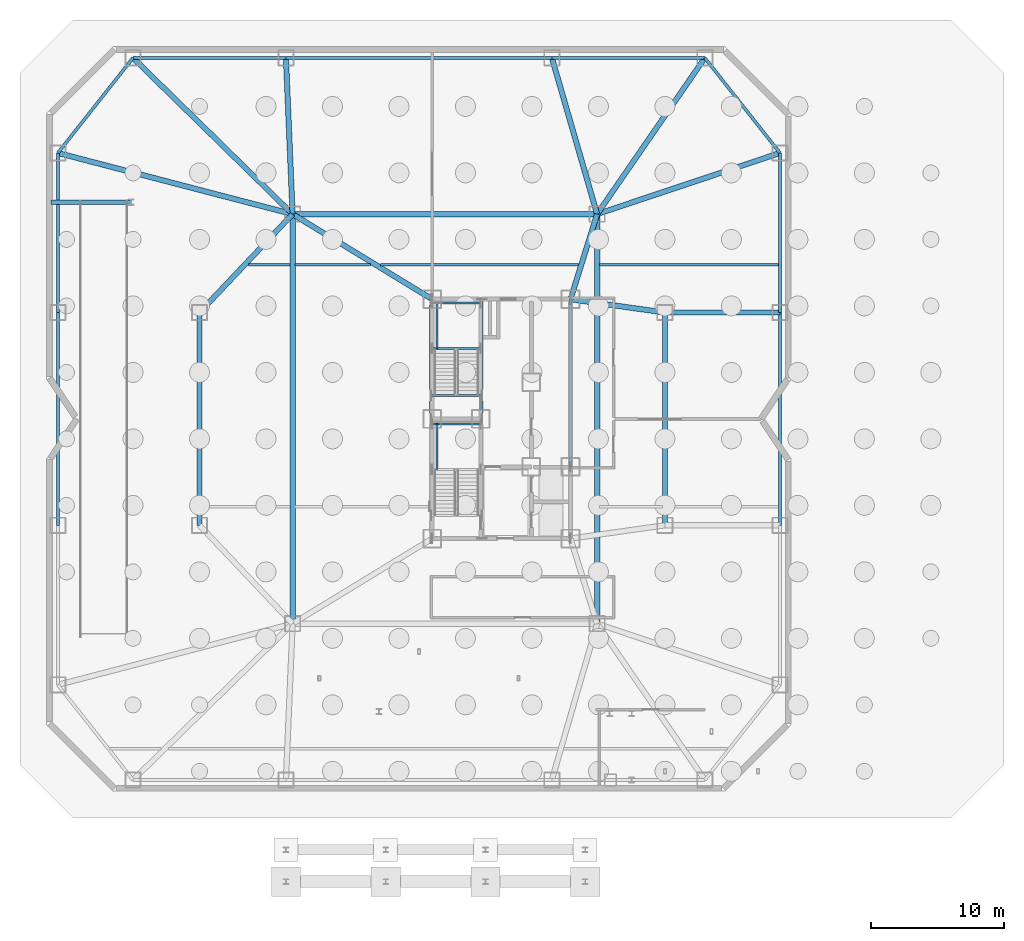
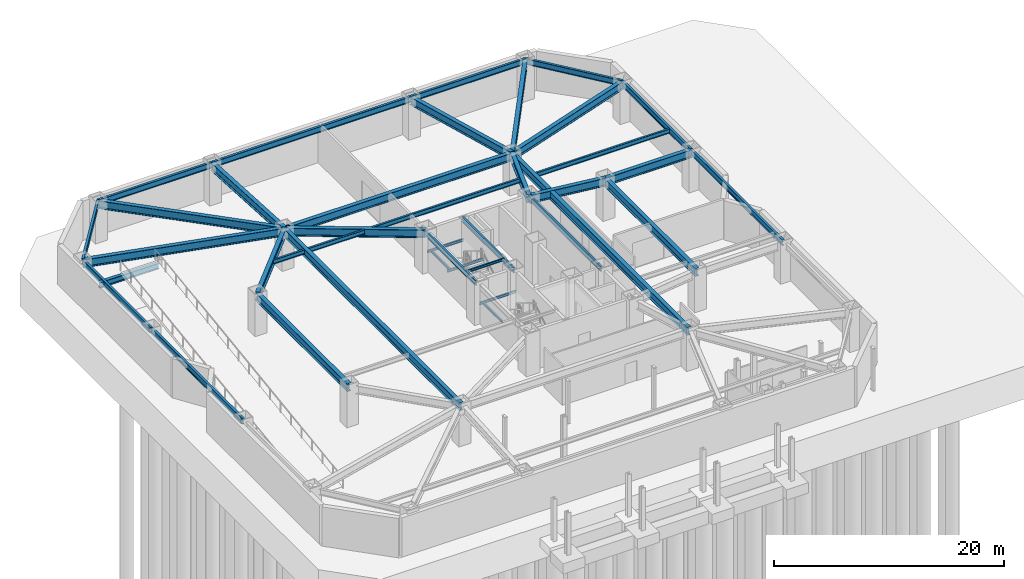
# One storey, part 6 of 15: 39 beams.
"""IFC4 building model written with IfcOpenShell, lengths in metres."""

from ifc_helpers import new_model, si_unit, direction, frame, origin, origin_2d, place, context, subcontext, project, spatial, i_section, extrude, material, material_profile, profile_set, type_object, element, save


model = new_model("IFC4")

# Units and contexts
model_context = context("Model", 3, precision=1e-05, world=origin(), true_north=direction((0.0, 1.0)))
body_context = subcontext(model_context, "Body", "Model", "MODEL_VIEW")
ifc_project = project(units=[si_unit("LENGTHUNIT", "METRE"), si_unit("AREAUNIT", "SQUARE_METRE"), si_unit("VOLUMEUNIT", "CUBIC_METRE"), si_unit("PLANEANGLEUNIT", "RADIAN"), si_unit("MASSUNIT", "GRAM", prefix="KILO")], contexts=[model_context])

# Site, building, storey
site_placement = place(None, origin())
site = spatial("IfcSite", under=ifc_project, at=site_placement, CompositionType="ELEMENT")
building_placement = place(site_placement, origin())
building = spatial("IfcBuilding", under=site, at=building_placement, Name="Khamvora Tower", CompositionType="ELEMENT")
storey_placement = place(building_placement, frame((0.0, 0.0, -9.0)))
storey = spatial("IfcBuildingStorey", under=building, at=storey_placement, Name="B2", CompositionType="ELEMENT", Elevation=-9.0)

# Beams
ifc_material = material(Name="Steel S355", Category="steel")
ifc_material_profile_1 = material_profile(ifc_material, i_section(OverallWidth=0.19189453125, OverallDepth=0.462890625, WebThickness=0.010986328125, FlangeThickness=0.01806640625, FilletRadius=0.011962890625, at=origin_2d()), Name="W460x89")
ifc_profile_set_1 = profile_set([ifc_material_profile_1], Name="Steel S355")
beam_type_1 = type_object("IfcBeamType", Name="BM-JS-W460x89", PredefinedType="JOIST", material=ifc_profile_set_1)
beam_1_placement = place(storey_placement, frame((15.176025390625, 39.60009765625, 3.948974609375), z_axis=(1.0, 0.0, 0.0), x_axis=(0.0, 1.0, 0.0)))
element("IfcBeam", 1, at=beam_1_placement, inside=storey, type_object=beam_type_1, Name="B2 secondary floor joist 10", PredefinedType="JOIST", context=body_context, shape_type="SweptSolid", body=[
    extrude(i_section(OverallWidth=0.19189453125, OverallDepth=0.462890625, WebThickness=0.010986328125, FlangeThickness=0.01806640625, FilletRadius=0.011962890625, at=origin_2d()), origin(), (0.0, 0.0, 1.0), 3.12890625),
])
beam_2_placement = place(storey_placement, frame((18.695068359375, 39.60009765625, 3.948974609375), z_axis=(1.0, 0.0, 0.0), x_axis=(0.0, 1.0, 0.0)))
element("IfcBeam", 2, at=beam_2_placement, inside=storey, type_object=beam_type_1, Name="B2 secondary floor joist 11", PredefinedType="JOIST", context=body_context, shape_type="SweptSolid", body=[
    extrude(i_section(OverallWidth=0.19189453125, OverallDepth=0.462890625, WebThickness=0.010986328125, FlangeThickness=0.01806640625, FilletRadius=0.011962890625, at=origin_2d()), origin(), (0.0, 0.0, 1.0), 5.659912109375),
])
beam_3_placement = place(storey_placement, frame((25.114013671875, 39.60009765625, 3.948974609375), z_axis=(1.0, 0.0, 0.0), x_axis=(0.0, 1.0, 0.0)))
element("IfcBeam", 3, at=beam_3_placement, inside=storey, type_object=beam_type_1, Name="B2 secondary floor joist 12", PredefinedType="JOIST", context=body_context, shape_type="SweptSolid", body=[
    extrude(i_section(OverallWidth=0.19189453125, OverallDepth=0.462890625, WebThickness=0.010986328125, FlangeThickness=0.01806640625, FilletRadius=0.011962890625, at=origin_2d()), origin(), (0.0, 0.0, 1.0), 14.89404296875),
])
beam_4_placement = place(storey_placement, frame((41.594970703125, 39.60009765625, 3.948974609375), z_axis=(1.0, 0.0, 0.0), x_axis=(0.0, 1.0, 0.0)))
element("IfcBeam", 4, at=beam_4_placement, inside=storey, type_object=beam_type_1, Name="B2 secondary floor joist 13", PredefinedType="JOIST", context=body_context, shape_type="SweptSolid", body=[
    extrude(i_section(OverallWidth=0.19189453125, OverallDepth=0.462890625, WebThickness=0.010986328125, FlangeThickness=0.01806640625, FilletRadius=0.011962890625, at=origin_2d()), origin(), (0.0, 0.0, 1.0), 13.445068359375),
])
ifc_material_profile_2 = material_profile(ifc_material, i_section(OverallWidth=0.14697265625, OverallDepth=0.261962890625, WebThickness=0.007080078125, FlangeThickness=0.010986328125, FilletRadius=0.008056640625, at=origin_2d()), Name="W250x39")
ifc_profile_set_2 = profile_set([ifc_material_profile_2], Name="Steel S355")
beam_type_2 = type_object("IfcBeamType", Name="BM-LN-W250x39", PredefinedType="LINTEL", material=ifc_profile_set_2)
beam_5_placement = place(storey_placement, frame((29.0, 27.6298828125, 1.9189453125), z_axis=(1.0, 0.0, 0.0), x_axis=(0.0, 1.0, 0.0)))
element("IfcBeam", 5, at=beam_5_placement, inside=storey, type_object=beam_type_2, Name="B2 ST-01 half-landing support beam 1.2", PredefinedType="LINTEL", context=body_context, shape_type="SweptSolid", body=[
    extrude(i_section(OverallWidth=0.14697265625, OverallDepth=0.261962890625, WebThickness=0.007080078125, FlangeThickness=0.010986328125, FilletRadius=0.008056640625, at=origin_2d()), origin(), (0.0, 0.0, 1.0), 3.64990234375),
])
beam_6_placement = place(storey_placement, frame((29.35009765625, 24.195068359375, 1.9189453125), z_axis=(0.0, 1.0, 0.0), x_axis=(-1.0, 0.0, 0.0)))
element("IfcBeam", 6, at=beam_6_placement, inside=storey, type_object=beam_type_2, Name="B2 ST-01 half-landing edge stringer 1", PredefinedType="LINTEL", context=body_context, shape_type="SweptSolid", body=[
    extrude(i_section(OverallWidth=0.14697265625, OverallDepth=0.261962890625, WebThickness=0.007080078125, FlangeThickness=0.010986328125, FilletRadius=0.008056640625, at=origin_2d()), origin(), (0.0, 0.0, 1.0), 3.434814453125),
])
for number, where, z_axis, x_axis, name in (
    (7, (29.0, 33.294921875, 1.9189453125), (1.0, 0.0, 0.0), (0.0, 1.0, 0.0), "B2 ST-02 half-landing support beam 1.1"),
    (8, (29.0, 36.72998046875, 1.9189453125), (1.0, 0.0, 0.0), (0.0, 1.0, 0.0), "B2 ST-02 half-landing support beam 1.2"),
):
    element("IfcBeam", number, at=place(storey_placement, frame(where, z_axis=z_axis, x_axis=x_axis)), inside=storey, type_object=beam_type_2, Name=name, PredefinedType="LINTEL", context=body_context, shape_type="SweptSolid", body=[
        extrude(i_section(OverallWidth=0.14697265625, OverallDepth=0.261962890625, WebThickness=0.007080078125, FlangeThickness=0.010986328125, FilletRadius=0.008056640625, at=origin_2d()), origin(), (0.0, 0.0, 1.0), 3.64990234375),
    ])
beam_7_placement = place(storey_placement, frame((29.35009765625, 33.294921875, 1.9189453125), z_axis=(0.0, 1.0, 0.0), x_axis=(-1.0, 0.0, 0.0)))
element("IfcBeam", 9, at=beam_7_placement, inside=storey, type_object=beam_type_2, Name="B2 ST-02 half-landing edge stringer 1", PredefinedType="LINTEL", context=body_context, shape_type="SweptSolid", body=[
    extrude(i_section(OverallWidth=0.14697265625, OverallDepth=0.261962890625, WebThickness=0.007080078125, FlangeThickness=0.010986328125, FilletRadius=0.008056640625, at=origin_2d()), origin(), (0.0, 0.0, 1.0), 3.43505859375),
])
beam_8_placement = place(storey_placement, frame((28.89990234375, 29.75, 4.053955078125), z_axis=(1.0, 0.0, 0.0), x_axis=(0.0, 1.0, 0.0)))
element("IfcBeam", 10, at=beam_8_placement, inside=storey, type_object=beam_type_2, Name="B2 exit stair ST-02 landing trimmer beam", PredefinedType="LINTEL", context=body_context, shape_type="SweptSolid", body=[
    extrude(i_section(OverallWidth=0.14697265625, OverallDepth=0.261962890625, WebThickness=0.007080078125, FlangeThickness=0.010986328125, FilletRadius=0.008056640625, at=origin_2d()), origin(), (0.0, 0.0, 1.0), 3.830078125),
])
ifc_material_profile_3 = material_profile(ifc_material, i_section(OverallWidth=0.324951171875, OverallDepth=0.615966796875, WebThickness=0.013916015625, FlangeThickness=0.02197265625, FilletRadius=0.01611328125, at=origin_2d()), Name="W610x174")
ifc_profile_set_3 = profile_set([ifc_material_profile_3], Name="Steel S355")
beam_type_3 = type_object("IfcBeamType", Name="BM-PG-W610x174", PredefinedType="BEAM", material=ifc_profile_set_3)
beam_9_placement = place(storey_placement, frame((0.35009765625, 44.300048828125, 3.83203125), z_axis=(1.0, 0.0, 0.0), x_axis=(0.0, 1.0, 0.0)))
element("IfcBeam", 11, at=beam_9_placement, inside=storey, type_object=beam_type_3, Name="B2 vehicle ramp upper bearing sill beam", PredefinedType="BEAM", context=body_context, shape_type="SweptSolid", body=[
    extrude(i_section(OverallWidth=0.324951171875, OverallDepth=0.615966796875, WebThickness=0.013916015625, FlangeThickness=0.02197265625, FilletRadius=0.01611328125, at=origin_2d()), origin(), (0.0, 0.0, 1.0), 6.0),
])
ifc_material_profile_4 = material_profile(ifc_material, i_section(OverallWidth=0.39990234375, OverallDepth=0.85498046875, WebThickness=0.01806640625, FlangeThickness=0.029052734375, FilletRadius=0.01806640625, at=origin_2d()), Name="W840x299")
ifc_profile_set_4 = profile_set([ifc_material_profile_4], Name="Steel S355")
beam_type_4 = type_object("IfcBeamType", Name="BM-PG-W840x299", PredefinedType="BEAM", material=ifc_profile_set_4)
for number, where, z_axis, x_axis, name in (
    (12, (18.5, 12.60009765625, 3.751953125), (0.0, 1.0, 0.0), (-1.0, 0.0, 0.0), "B2 longitudinal frame girder P17-P19"),
    (13, (41.39990234375, 12.60009765625, 3.751953125), (0.0, 1.0, 0.0), (-1.0, 0.0, 0.0), "B2 longitudinal frame girder P18-P20"),
):
    element("IfcBeam", number, at=place(storey_placement, frame(where, z_axis=z_axis, x_axis=x_axis)), inside=storey, type_object=beam_type_4, Name=name, PredefinedType="BEAM", context=body_context, shape_type="SweptSolid", body=[
        extrude(i_section(OverallWidth=0.39990234375, OverallDepth=0.85498046875, WebThickness=0.01806640625, FlangeThickness=0.029052734375, FilletRadius=0.01806640625, at=origin_2d()), origin(), (0.0, 0.0, 1.0), 30.7998046875),
    ])
beam_10_placement = place(storey_placement, frame((18.5, 43.39990234375, 3.751953125), z_axis=(1.0, 0.0, 0.0), x_axis=(0.0, 1.0, 0.0)))
element("IfcBeam", 14, at=beam_10_placement, inside=storey, type_object=beam_type_4, Name="B2 longitudinal frame girder P19-P20", PredefinedType="BEAM", context=body_context, shape_type="SweptSolid", body=[
    extrude(i_section(OverallWidth=0.39990234375, OverallDepth=0.85498046875, WebThickness=0.01806640625, FlangeThickness=0.029052734375, FilletRadius=0.01806640625, at=origin_2d()), origin(), (0.0, 0.0, 1.0), 22.89990234375),
])
for number, where, z_axis, x_axis, name in (
    (15, (11.5, 20.0, 3.751953125), (0.0, 1.0, 0.0), (-1.0, 0.0, 0.0), "B2 longitudinal frame girder P21-P22"),
    (16, (46.5, 20.0, 3.751953125), (0.0, 1.0, 0.0), (-1.0, 0.0, 0.0), "B2 longitudinal frame girder P23-P24"),
):
    element("IfcBeam", number, at=place(storey_placement, frame(where, z_axis=z_axis, x_axis=x_axis)), inside=storey, type_object=beam_type_4, Name=name, PredefinedType="BEAM", context=body_context, shape_type="SweptSolid", body=[
        extrude(i_section(OverallWidth=0.39990234375, OverallDepth=0.85498046875, WebThickness=0.01806640625, FlangeThickness=0.029052734375, FilletRadius=0.01806640625, at=origin_2d()), origin(), (0.0, 0.0, 1.0), 16.0),
    ])
beam_11_placement = place(storey_placement, frame((18.5, 43.39990234375, 3.751953125), z_axis=(-0.714510426493, 0.699624792608, 0.0), x_axis=(-0.699624792608, -0.714510426493, 0.0)))
element("IfcBeam", 17, at=beam_11_placement, inside=storey, type_object=beam_type_4, Name="B2 primary floor girder P05", PredefinedType="BEAM", context=body_context, shape_type="SweptSolid", body=[
    extrude(i_section(OverallWidth=0.39990234375, OverallDepth=0.85498046875, WebThickness=0.01806640625, FlangeThickness=0.029052734375, FilletRadius=0.01806640625, at=origin_2d()), origin(), (0.0, 0.0, 1.0), 16.794677734375),
])
beam_12_placement = place(storey_placement, frame((18.5, 43.39990234375, 3.751953125), z_axis=(-0.042514716625, 0.999095840683, 0.0), x_axis=(-0.999095840683, -0.042514716625, 0.0)))
element("IfcBeam", 18, at=beam_12_placement, inside=storey, type_object=beam_type_4, Name="B2 primary floor girder P06", PredefinedType="BEAM", context=body_context, shape_type="SweptSolid", body=[
    extrude(i_section(OverallWidth=0.39990234375, OverallDepth=0.85498046875, WebThickness=0.01806640625, FlangeThickness=0.029052734375, FilletRadius=0.01806640625, at=origin_2d()), origin(), (0.0, 0.0, 1.0), 11.7607421875),
])
beam_13_placement = place(storey_placement, frame((41.39990234375, 43.39990234375, 3.751953125), z_axis=(-0.277951455854, 0.960595121885, 0.0), x_axis=(-0.960595121885, -0.277951455854, 0.0)))
element("IfcBeam", 19, at=beam_13_placement, inside=storey, type_object=beam_type_4, Name="B2 primary floor girder P07", PredefinedType="BEAM", context=body_context, shape_type="SweptSolid", body=[
    extrude(i_section(OverallWidth=0.39990234375, OverallDepth=0.85498046875, WebThickness=0.01806640625, FlangeThickness=0.029052734375, FilletRadius=0.01806640625, at=origin_2d()), origin(), (0.0, 0.0, 1.0), 12.23193359375),
])
beam_14_placement = place(storey_placement, frame((41.39990234375, 43.39990234375, 3.751953125), z_axis=(0.567573841069, 0.823322497527, 0.0), x_axis=(-0.823322497527, 0.567573841069, 0.0)))
element("IfcBeam", 20, at=beam_14_placement, inside=storey, type_object=beam_type_4, Name="B2 primary floor girder P08", PredefinedType="BEAM", context=body_context, shape_type="SweptSolid", body=[
    extrude(i_section(OverallWidth=0.39990234375, OverallDepth=0.85498046875, WebThickness=0.01806640625, FlangeThickness=0.029052734375, FilletRadius=0.01806640625, at=origin_2d()), origin(), (0.0, 0.0, 1.0), 14.271484375),
])
beam_15_placement = place(storey_placement, frame((18.5, 43.39990234375, 3.751953125), z_axis=(-0.967673821538, 0.252205025942, 0.0), x_axis=(-0.252205025942, -0.967673821538, 0.0)))
element("IfcBeam", 21, at=beam_15_placement, inside=storey, type_object=beam_type_4, Name="B2 primary floor girder P12", PredefinedType="BEAM", context=body_context, shape_type="SweptSolid", body=[
    extrude(i_section(OverallWidth=0.39990234375, OverallDepth=0.85498046875, WebThickness=0.01806640625, FlangeThickness=0.029052734375, FilletRadius=0.01806640625, at=origin_2d()), origin(), (0.0, 0.0, 1.0), 18.239501953125),
])
beam_16_placement = place(storey_placement, frame((46.5, 36.0, 3.751953125), z_axis=(1.0, 0.0, 0.0), x_axis=(0.0, 1.0, 0.0)))
element("IfcBeam", 22, at=beam_16_placement, inside=storey, type_object=beam_type_4, Name="B2 primary floor girder P15", PredefinedType="BEAM", context=body_context, shape_type="SweptSolid", body=[
    extrude(i_section(OverallWidth=0.39990234375, OverallDepth=0.85498046875, WebThickness=0.01806640625, FlangeThickness=0.029052734375, FilletRadius=0.01806640625, at=origin_2d()), origin(), (0.0, 0.0, 1.0), 8.64990234375),
])
beam_17_placement = place(storey_placement, frame((41.39990234375, 43.39990234375, 3.751953125), z_axis=(0.948335857324, 0.31726818579, 0.0), x_axis=(-0.31726818579, 0.948335857324, 0.0)))
element("IfcBeam", 23, at=beam_17_placement, inside=storey, type_object=beam_type_4, Name="B2 primary floor girder P16", PredefinedType="BEAM", context=body_context, shape_type="SweptSolid", body=[
    extrude(i_section(OverallWidth=0.39990234375, OverallDepth=0.85498046875, WebThickness=0.01806640625, FlangeThickness=0.029052734375, FilletRadius=0.01806640625, at=origin_2d()), origin(), (0.0, 0.0, 1.0), 14.4990234375),
])
beam_18_placement = place(storey_placement, frame((29.0, 37.0, 3.751953125), z_axis=(-0.853887856757, 0.520457037691, 0.0), x_axis=(-0.520457037691, -0.853887856757, 0.0)))
element("IfcBeam", 24, at=beam_18_placement, inside=storey, type_object=beam_type_4, Name="B2 primary floor girder P19", PredefinedType="BEAM", context=body_context, shape_type="SweptSolid", body=[
    extrude(i_section(OverallWidth=0.39990234375, OverallDepth=0.85498046875, WebThickness=0.01806640625, FlangeThickness=0.029052734375, FilletRadius=0.01806640625, at=origin_2d()), origin(), (0.0, 0.0, 1.0), 12.296630859375),
])
beam_19_placement = place(storey_placement, frame((39.39990234375, 37.0, 3.751953125), z_axis=(0.298279139585, 0.95447868226, 0.0), x_axis=(-0.95447868226, 0.298279139585, 0.0)))
element("IfcBeam", 25, at=beam_19_placement, inside=storey, type_object=beam_type_4, Name="B2 primary floor girder P20", PredefinedType="BEAM", context=body_context, shape_type="SweptSolid", body=[
    extrude(i_section(OverallWidth=0.39990234375, OverallDepth=0.85498046875, WebThickness=0.01806640625, FlangeThickness=0.029052734375, FilletRadius=0.01806640625, at=origin_2d()), origin(), (0.0, 0.0, 1.0), 6.705078125),
])
beam_20_placement = place(storey_placement, frame((18.5, 43.39990234375, 3.751953125), z_axis=(-0.687204640029, -0.726463889483, 0.0), x_axis=(0.726463889483, -0.687204640029, 0.0)))
element("IfcBeam", 26, at=beam_20_placement, inside=storey, type_object=beam_type_4, Name="B2 primary floor girder P22", PredefinedType="BEAM", context=body_context, shape_type="SweptSolid", body=[
    extrude(i_section(OverallWidth=0.39990234375, OverallDepth=0.85498046875, WebThickness=0.01806640625, FlangeThickness=0.029052734375, FilletRadius=0.01806640625, at=origin_2d()), origin(), (0.0, 0.0, 1.0), 10.186279296875),
])
beam_21_placement = place(storey_placement, frame((39.39990234375, 37.0, 3.751953125), z_axis=(0.990226770029, -0.139466640879, 0.0), x_axis=(0.139466640879, 0.990226770029, 0.0)))
element("IfcBeam", 27, at=beam_21_placement, inside=storey, type_object=beam_type_4, Name="B2 primary floor girder P24", PredefinedType="BEAM", context=body_context, shape_type="SweptSolid", body=[
    extrude(i_section(OverallWidth=0.39990234375, OverallDepth=0.85498046875, WebThickness=0.01806640625, FlangeThickness=0.029052734375, FilletRadius=0.01806640625, at=origin_2d()), origin(), (0.0, 0.0, 1.0), 7.170166015625),
])
ifc_material_profile_5 = material_profile(ifc_material, i_section(OverallWidth=0.208984375, OverallDepth=0.532958984375, WebThickness=0.010009765625, FlangeThickness=0.01611328125, FilletRadius=0.013916015625, at=origin_2d()), Name="W530x92")
ifc_profile_set_5 = profile_set([ifc_material_profile_5], Name="Steel S355")
beam_type_5 = type_object("IfcBeamType", Name="BM-SP-W530x92", PredefinedType="SPANDREL", material=ifc_profile_set_5)
for number, where, z_axis, x_axis, name in (
    (28, (28.89990234375, 28.0, 3.9130859375), (0.0, 1.0, 0.0), (-1.0, 0.0, 0.0), "B2 core spine girder WN"),
    (29, (32.72998046875, 28.0, 3.9130859375), (0.0, 1.0, 0.0), (-1.0, 0.0, 0.0), "B2 core spine girder M1N"),
):
    element("IfcBeam", number, at=place(storey_placement, frame(where, z_axis=z_axis, x_axis=x_axis)), inside=storey, type_object=beam_type_5, Name=name, PredefinedType="SPANDREL", context=body_context, shape_type="SweptSolid", body=[
        extrude(i_section(OverallWidth=0.208984375, OverallDepth=0.532958984375, WebThickness=0.010009765625, FlangeThickness=0.01611328125, FilletRadius=0.013916015625, at=origin_2d()), origin(), (0.0, 0.0, 1.0), 9.0),
    ])
beam_22_placement = place(storey_placement, frame((39.39990234375, 24.39990234375, 3.9130859375), z_axis=(0.0, 1.0, 0.0), x_axis=(-1.0, 0.0, 0.0)))
element("IfcBeam", 30, at=beam_22_placement, inside=storey, type_object=beam_type_5, Name="B2 core spine girder EN", PredefinedType="SPANDREL", context=body_context, shape_type="SweptSolid", body=[
    extrude(i_section(OverallWidth=0.208984375, OverallDepth=0.532958984375, WebThickness=0.010009765625, FlangeThickness=0.01611328125, FilletRadius=0.013916015625, at=origin_2d()), origin(), (0.0, 0.0, 1.0), 12.60009765625),
])
ifc_material_profile_6 = material_profile(ifc_material, i_section(OverallWidth=0.22998046875, OverallDepth=0.616943359375, WebThickness=0.012939453125, FlangeThickness=0.02197265625, FilletRadius=0.013916015625, at=origin_2d()), Name="W610x140")
ifc_profile_set_6 = profile_set([ifc_material_profile_6], Name="Steel S355")
beam_type_6 = type_object("IfcBeamType", Name="BM-SP-W610x140", PredefinedType="SPANDREL", material=ifc_profile_set_6)
beam_23_placement = place(storey_placement, frame((55.14990234375, 20.0, 3.87109375), z_axis=(0.0, 1.0, 0.0), x_axis=(-1.0, 0.0, 0.0)))
element("IfcBeam", 31, at=beam_23_placement, inside=storey, type_object=beam_type_6, Name="B2 perimeter spandrel beam P14-P15", PredefinedType="SPANDREL", context=body_context, shape_type="SweptSolid", body=[
    extrude(i_section(OverallWidth=0.22998046875, OverallDepth=0.616943359375, WebThickness=0.012939453125, FlangeThickness=0.02197265625, FilletRadius=0.013916015625, at=origin_2d()), origin(), (0.0, 0.0, 1.0), 16.0),
])
beam_24_placement = place(storey_placement, frame((55.14990234375, 36.0, 3.87109375), z_axis=(0.0, 1.0, 0.0), x_axis=(-1.0, 0.0, 0.0)))
element("IfcBeam", 32, at=beam_24_placement, inside=storey, type_object=beam_type_6, Name="B2 perimeter spandrel beam P15-P16", PredefinedType="SPANDREL", context=body_context, shape_type="SweptSolid", body=[
    extrude(i_section(OverallWidth=0.22998046875, OverallDepth=0.616943359375, WebThickness=0.012939453125, FlangeThickness=0.02197265625, FilletRadius=0.013916015625, at=origin_2d()), origin(), (0.0, 0.0, 1.0), 12.0),
])
beam_25_placement = place(storey_placement, frame((55.14990234375, 48.0, 3.87109375), z_axis=(-0.619998635429, 0.784602888133, 0.0), x_axis=(-0.784602888133, -0.619998635429, 0.0)))
element("IfcBeam", 33, at=beam_25_placement, inside=storey, type_object=beam_type_6, Name="B2 perimeter spandrel beam P16-P08", PredefinedType="SPANDREL", context=body_context, shape_type="SweptSolid", body=[
    extrude(i_section(OverallWidth=0.22998046875, OverallDepth=0.616943359375, WebThickness=0.012939453125, FlangeThickness=0.02197265625, FilletRadius=0.013916015625, at=origin_2d()), origin(), (0.0, 0.0, 1.0), 9.11279296875),
])
beam_26_placement = place(storey_placement, frame((49.5, 55.14990234375, 3.87109375), z_axis=(-1.0, 0.0, 0.0), x_axis=(0.0, -1.0, 0.0)))
element("IfcBeam", 34, at=beam_26_placement, inside=storey, type_object=beam_type_6, Name="B2 perimeter spandrel beam P08-P07", PredefinedType="SPANDREL", context=body_context, shape_type="SweptSolid", body=[
    extrude(i_section(OverallWidth=0.22998046875, OverallDepth=0.616943359375, WebThickness=0.012939453125, FlangeThickness=0.02197265625, FilletRadius=0.013916015625, at=origin_2d()), origin(), (0.0, 0.0, 1.0), 11.5),
])
beam_27_placement = place(storey_placement, frame((38.0, 55.14990234375, 3.87109375), z_axis=(-1.0, 0.0, 0.0), x_axis=(0.0, -1.0, 0.0)))
element("IfcBeam", 35, at=beam_27_placement, inside=storey, type_object=beam_type_6, Name="B2 perimeter spandrel beam P07-P06", PredefinedType="SPANDREL", context=body_context, shape_type="SweptSolid", body=[
    extrude(i_section(OverallWidth=0.22998046875, OverallDepth=0.616943359375, WebThickness=0.012939453125, FlangeThickness=0.02197265625, FilletRadius=0.013916015625, at=origin_2d()), origin(), (0.0, 0.0, 1.0), 20.0),
])
beam_28_placement = place(storey_placement, frame((18.0, 55.14990234375, 3.87109375), z_axis=(-1.0, 0.0, 0.0), x_axis=(0.0, -1.0, 0.0)))
element("IfcBeam", 36, at=beam_28_placement, inside=storey, type_object=beam_type_6, Name="B2 perimeter spandrel beam P06-P05", PredefinedType="SPANDREL", context=body_context, shape_type="SweptSolid", body=[
    extrude(i_section(OverallWidth=0.22998046875, OverallDepth=0.616943359375, WebThickness=0.012939453125, FlangeThickness=0.02197265625, FilletRadius=0.013916015625, at=origin_2d()), origin(), (0.0, 0.0, 1.0), 11.5),
])
beam_29_placement = place(storey_placement, frame((6.5, 55.14990234375, 3.87109375), z_axis=(-0.619998635429, -0.784602888133, 0.0), x_axis=(0.784602888133, -0.619998635429, 0.0)))
element("IfcBeam", 37, at=beam_29_placement, inside=storey, type_object=beam_type_6, Name="B2 perimeter spandrel beam P05-P12", PredefinedType="SPANDREL", context=body_context, shape_type="SweptSolid", body=[
    extrude(i_section(OverallWidth=0.22998046875, OverallDepth=0.616943359375, WebThickness=0.012939453125, FlangeThickness=0.02197265625, FilletRadius=0.013916015625, at=origin_2d()), origin(), (0.0, 0.0, 1.0), 9.11279296875),
])
beam_30_placement = place(storey_placement, frame((0.85009765625, 48.0, 3.87109375), z_axis=(0.0, -1.0, 0.0), x_axis=(1.0, 0.0, 0.0)))
element("IfcBeam", 38, at=beam_30_placement, inside=storey, type_object=beam_type_6, Name="B2 perimeter spandrel beam P12-P11", PredefinedType="SPANDREL", context=body_context, shape_type="SweptSolid", body=[
    extrude(i_section(OverallWidth=0.22998046875, OverallDepth=0.616943359375, WebThickness=0.012939453125, FlangeThickness=0.02197265625, FilletRadius=0.013916015625, at=origin_2d()), origin(), (0.0, 0.0, 1.0), 12.0),
])
beam_31_placement = place(storey_placement, frame((0.85009765625, 36.0, 3.87109375), z_axis=(0.0, -1.0, 0.0), x_axis=(1.0, 0.0, 0.0)))
element("IfcBeam", 39, at=beam_31_placement, inside=storey, type_object=beam_type_6, Name="B2 perimeter spandrel beam P11-P10", PredefinedType="SPANDREL", context=body_context, shape_type="SweptSolid", body=[
    extrude(i_section(OverallWidth=0.22998046875, OverallDepth=0.616943359375, WebThickness=0.012939453125, FlangeThickness=0.02197265625, FilletRadius=0.013916015625, at=origin_2d()), origin(), (0.0, 0.0, 1.0), 16.0),
])

save(model, "model.ifc")
